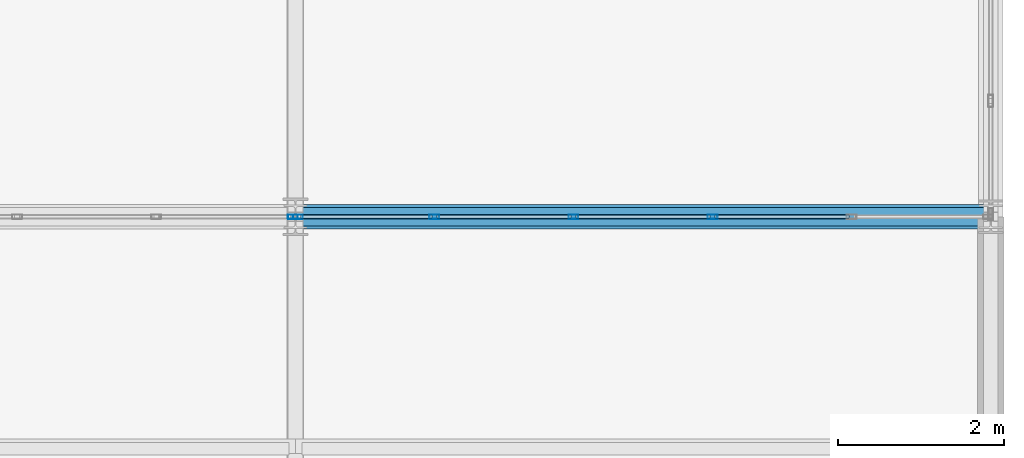
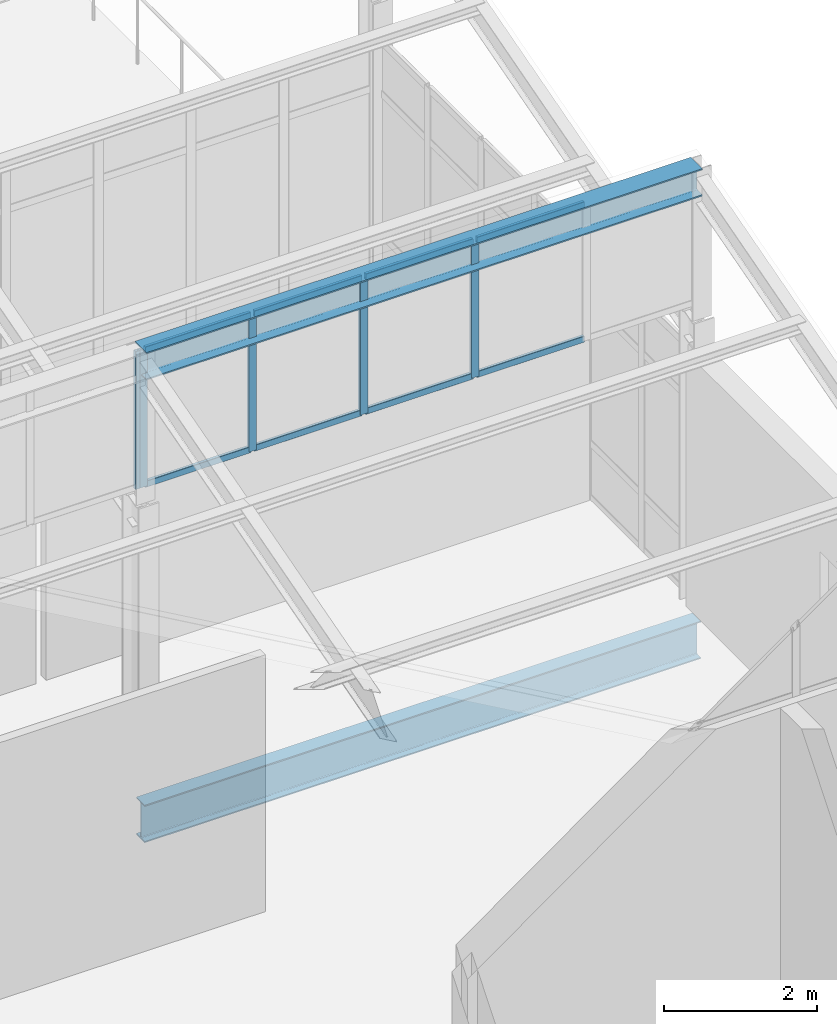
# One storey, part 38 of 53: 13 members, 2 beams, 2 elements without a shape of their own.
"""IFC4 building model written with IfcOpenShell, lengths in metres."""

from ifc_helpers import new_model, si_unit, direction, frame, origin, origin_2d, place, context, subcontext, project, spatial, hollow_rectangle, i_section, extrude, material, layer, layer_set, material_profile, profile_set, type_object, element, aggregate, save


model = new_model("IFC4")

# Units and contexts
model_context = context("Model", 3, precision=1e-05, world=origin(), true_north=direction((0.0, 1.0)))
body_context = subcontext(model_context, "Body", "Model", "MODEL_VIEW")
ifc_project = project(units=[si_unit("LENGTHUNIT", "METRE"), si_unit("AREAUNIT", "SQUARE_METRE"), si_unit("VOLUMEUNIT", "CUBIC_METRE"), si_unit("PLANEANGLEUNIT", "RADIAN"), si_unit("MASSUNIT", "GRAM", prefix="KILO")], contexts=[model_context])

# Site, building, storey
site_placement = place(None, origin())
site = spatial("IfcSite", under=ifc_project, at=site_placement, CompositionType="ELEMENT")
building_placement = place(site_placement, origin())
building = spatial("IfcBuilding", under=site, at=building_placement, Name="Qalvenar Corner Mobility Hub", CompositionType="ELEMENT")
storey_placement = place(building_placement, frame((0.0, 0.0, 26.39990234375)))
storey = spatial("IfcBuildingStorey", under=building, at=storey_placement, Name="L06", CompositionType="ELEMENT", Elevation=26.39990234375)

# Beams
ifc_material_1 = material(Name="Steel S355", Category="steel")
ifc_material_profile_1 = material_profile(ifc_material_1, i_section(OverallWidth=0.300048828125, OverallDepth=0.43994140625, WebThickness=0.011474609375, FlangeThickness=0.02099609375, FilletRadius=0.027099609375, at=origin_2d()), Name="HEA450")
ifc_profile_set_1 = profile_set([ifc_material_profile_1], Name="Steel S355")
beam_type_1 = type_object("IfcBeamType", Name="BM-HEA450", PredefinedType="BEAM", material=ifc_profile_set_1)
beam_1_placement = place(storey_placement, frame((33.60009765625, 25.199951171875, 6.81005859375), z_axis=(1.0, 0.0, 0.0), x_axis=(0.0, 1.0, 0.0)))
element("IfcBeam", 1, at=beam_1_placement, inside=storey, type_object=beam_type_1, Name="Sawtooth Ridge Girder V3RDG-3-5", PredefinedType="BEAM", context=body_context, shape_type="SweptSolid", body=[
    extrude(i_section(OverallWidth=0.300048828125, OverallDepth=0.43994140625, WebThickness=0.011474609375, FlangeThickness=0.02099609375, FilletRadius=0.027099609375, at=origin_2d()), origin(), (0.0, 0.0, 1.0), 8.39990234375),
])
ifc_material_profile_2 = material_profile(ifc_material_1, i_section(OverallWidth=0.219970703125, OverallDepth=0.60009765625, WebThickness=0.011962890625, FlangeThickness=0.01904296875, FilletRadius=0.02392578125, at=origin_2d()), Name="IPE600")
ifc_profile_set_2 = profile_set([ifc_material_profile_2], Name="Steel S355")
beam_type_2 = type_object("IfcBeamType", Name="BM-IPE600", PredefinedType="BEAM", material=ifc_profile_set_2)
beam_2_placement = place(storey_placement, frame((33.60009765625, 25.199951171875, -0.52001953125), z_axis=(1.0, 0.0, 0.0), x_axis=(0.0, 1.0, 0.0)))
element("IfcBeam", 2, at=beam_2_placement, inside=storey, type_object=beam_type_2, Name="Primary Steel Girder GX-3071", PredefinedType="BEAM", context=body_context, shape_type="SweptSolid", body=[
    extrude(i_section(OverallWidth=0.219970703125, OverallDepth=0.60009765625, WebThickness=0.011962890625, FlangeThickness=0.01904296875, FilletRadius=0.02392578125, at=origin_2d()), origin(), (0.0, 0.0, 1.0), 8.39990234375),
])

# Curtain wall, member
ifc_material_2 = material(Name="Anodised Aluminium and Low-E Glazing", Category="aluminium")
ifc_layer = layer(ifc_material_2, 0.1201171875)
ifc_layer_set = layer_set([ifc_layer], Name="Anodised Aluminium and Low-E Glazing")
curtain_wall_type = type_object("IfcCurtainWallType", Name="CW-CLR-84X24", PredefinedType="NOTDEFINED", material=ifc_layer_set)
curtain_wall_1_placement = place(storey_placement, origin())
curtain_wall_1 = element("IfcCurtainWall", 3, at=curtain_wall_1_placement, inside=storey, type_object=curtain_wall_type, Name="Glazed Curtain Wall CW-V3-SAW-3-3", PredefinedType="NOTDEFINED")
ifc_material_3 = material(Name="Anodised Aluminium 6063-T6", Category="aluminium")
ifc_material_profile_3 = material_profile(ifc_material_3, hollow_rectangle(XDim=0.054931640625, YDim=0.1201171875, WallThickness=0.00341796875, InnerFilletRadius=0.00341796875, OuterFilletRadius=0.007080078125, at=origin_2d()), Name="RHS120x55x3.5")
ifc_profile_set_3 = profile_set([ifc_material_profile_3], Name="Anodised Aluminium 6063-T6")
member_type_1 = type_object("IfcMemberType", Name="CW-MUL120", PredefinedType="MULLION", material=ifc_profile_set_3)
member_1_placement = place(storey_placement, frame((33.570068359375, 25.199951171875, 4.800048828125), z_axis=(0.0, 0.0, 1.0), x_axis=(0.0, -1.0, 0.0)))
member_1 = element("IfcMember", 4, at=member_1_placement, type_object=member_type_1, Name="CW-12 mullion 1", PredefinedType="MULLION", context=body_context, shape_type="SweptSolid", body=[
    extrude(hollow_rectangle(XDim=0.054931640625, YDim=0.1201171875, WallThickness=0.00341796875, InnerFilletRadius=0.00341796875, OuterFilletRadius=0.007080078125, at=origin_2d()), origin(), (0.0, 0.0, 1.0), 2.199951171875),
])
aggregate(curtain_wall_1, [member_1])

# Curtain wall, members
curtain_wall_2_placement = place(storey_placement, origin())
curtain_wall_2 = element("IfcCurtainWall", 5, at=curtain_wall_2_placement, inside=storey, type_object=curtain_wall_type, Name="Glazed Curtain Wall CW-V3-SAW-3-4", PredefinedType="NOTDEFINED")
member_2_placement = place(storey_placement, frame((38.639892578125, 25.199951171875, 4.800048828125), z_axis=(0.0, 0.0, 1.0), x_axis=(0.0, -1.0, 0.0)))
member_2 = element("IfcMember", 6, at=member_2_placement, type_object=member_type_1, Name="CW-12 mullion 3", PredefinedType="MULLION", context=body_context, shape_type="SweptSolid", body=[
    extrude(hollow_rectangle(XDim=0.054931640625, YDim=0.1201171875, WallThickness=0.00341796875, InnerFilletRadius=0.00341796875, OuterFilletRadius=0.007080078125, at=origin_2d()), origin(), (0.0, 0.0, 1.0), 2.199951171875),
])
member_3_placement = place(storey_placement, frame((36.9599609375, 25.199951171875, 4.800048828125), z_axis=(0.0, 0.0, 1.0), x_axis=(0.0, -1.0, 0.0)))
member_3 = element("IfcMember", 7, at=member_3_placement, type_object=member_type_1, Name="CW-12 mullion 4", PredefinedType="MULLION", context=body_context, shape_type="SweptSolid", body=[
    extrude(hollow_rectangle(XDim=0.054931640625, YDim=0.1201171875, WallThickness=0.00341796875, InnerFilletRadius=0.00341796875, OuterFilletRadius=0.007080078125, at=origin_2d()), origin(), (0.0, 0.0, 1.0), 2.199951171875),
])
member_4_placement = place(storey_placement, frame((35.280029296875, 25.199951171875, 4.800048828125), z_axis=(0.0, 0.0, 1.0), x_axis=(0.0, -1.0, 0.0)))
member_4 = element("IfcMember", 8, at=member_4_placement, type_object=member_type_1, Name="CW-12 mullion 5", PredefinedType="MULLION", context=body_context, shape_type="SweptSolid", body=[
    extrude(hollow_rectangle(XDim=0.054931640625, YDim=0.1201171875, WallThickness=0.00341796875, InnerFilletRadius=0.00341796875, OuterFilletRadius=0.007080078125, at=origin_2d()), origin(), (0.0, 0.0, 1.0), 2.199951171875),
])
member_5_placement = place(storey_placement, frame((33.6298828125, 25.199951171875, 4.800048828125), z_axis=(0.0, 0.0, 1.0), x_axis=(0.0, -1.0, 0.0)))
member_5 = element("IfcMember", 9, at=member_5_placement, type_object=member_type_1, Name="CW-12 mullion 6", PredefinedType="MULLION", context=body_context, shape_type="SweptSolid", body=[
    extrude(hollow_rectangle(XDim=0.054931640625, YDim=0.1201171875, WallThickness=0.00341796875, InnerFilletRadius=0.00341796875, OuterFilletRadius=0.007080078125, at=origin_2d()), origin(), (0.0, 0.0, 1.0), 2.199951171875),
])
ifc_material_profile_4 = material_profile(ifc_material_3, hollow_rectangle(XDim=0.050048828125, YDim=0.10009765625, WallThickness=0.0029296875, InnerFilletRadius=0.0029296875, OuterFilletRadius=0.006103515625, at=origin_2d()), Name="RHS100x50x3")
ifc_profile_set_4 = profile_set([ifc_material_profile_4], Name="Anodised Aluminium 6063-T6")
member_type_2 = type_object("IfcMemberType", Name="CW-TRN100", PredefinedType="USERDEFINED", material=ifc_profile_set_4)
member_6_placement = place(storey_placement, frame((40.2900390625, 25.199951171875, 4.82763671875), z_axis=(-1.0, 0.0, 0.0), x_axis=(0.0, -1.0, 0.0)))
member_6 = element("IfcMember", 10, at=member_6_placement, type_object=member_type_2, Name="CW-12 transom 2.1", ObjectType="TRANSOM", PredefinedType="USERDEFINED", context=body_context, shape_type="SweptSolid", body=[
    extrude(hollow_rectangle(XDim=0.050048828125, YDim=0.10009765625, WallThickness=0.0029296875, InnerFilletRadius=0.0029296875, OuterFilletRadius=0.006103515625, at=origin_2d()), origin(), (0.0, 0.0, 1.0), 1.6201171875),
])
member_7_placement = place(storey_placement, frame((40.2900390625, 25.199951171875, 6.97265625), z_axis=(-1.0, 0.0, 0.0), x_axis=(0.0, -1.0, 0.0)))
member_7 = element("IfcMember", 11, at=member_7_placement, type_object=member_type_2, Name="CW-12 transom 2.2", ObjectType="TRANSOM", PredefinedType="USERDEFINED", context=body_context, shape_type="SweptSolid", body=[
    extrude(hollow_rectangle(XDim=0.050048828125, YDim=0.10009765625, WallThickness=0.0029296875, InnerFilletRadius=0.0029296875, OuterFilletRadius=0.006103515625, at=origin_2d()), origin(), (0.0, 0.0, 1.0), 1.6201171875),
])
member_8_placement = place(storey_placement, frame((38.610107421875, 25.199951171875, 4.82763671875), z_axis=(-1.0, 0.0, 0.0), x_axis=(0.0, -1.0, 0.0)))
member_8 = element("IfcMember", 12, at=member_8_placement, type_object=member_type_2, Name="CW-12 transom 3.1", ObjectType="TRANSOM", PredefinedType="USERDEFINED", context=body_context, shape_type="SweptSolid", body=[
    extrude(hollow_rectangle(XDim=0.050048828125, YDim=0.10009765625, WallThickness=0.0029296875, InnerFilletRadius=0.0029296875, OuterFilletRadius=0.006103515625, at=origin_2d()), origin(), (0.0, 0.0, 1.0), 1.6201171875),
])
member_9_placement = place(storey_placement, frame((38.610107421875, 25.199951171875, 6.97265625), z_axis=(-1.0, 0.0, 0.0), x_axis=(0.0, -1.0, 0.0)))
member_9 = element("IfcMember", 13, at=member_9_placement, type_object=member_type_2, Name="CW-12 transom 3.2", ObjectType="TRANSOM", PredefinedType="USERDEFINED", context=body_context, shape_type="SweptSolid", body=[
    extrude(hollow_rectangle(XDim=0.050048828125, YDim=0.10009765625, WallThickness=0.0029296875, InnerFilletRadius=0.0029296875, OuterFilletRadius=0.006103515625, at=origin_2d()), origin(), (0.0, 0.0, 1.0), 1.6201171875),
])
member_10_placement = place(storey_placement, frame((36.929931640625, 25.199951171875, 4.82763671875), z_axis=(-1.0, 0.0, 0.0), x_axis=(0.0, -1.0, 0.0)))
member_10 = element("IfcMember", 14, at=member_10_placement, type_object=member_type_2, Name="CW-12 transom 4.1", ObjectType="TRANSOM", PredefinedType="USERDEFINED", context=body_context, shape_type="SweptSolid", body=[
    extrude(hollow_rectangle(XDim=0.050048828125, YDim=0.10009765625, WallThickness=0.0029296875, InnerFilletRadius=0.0029296875, OuterFilletRadius=0.006103515625, at=origin_2d()), origin(), (0.0, 0.0, 1.0), 1.619873046875),
])
member_11_placement = place(storey_placement, frame((36.929931640625, 25.199951171875, 6.97265625), z_axis=(-1.0, 0.0, 0.0), x_axis=(0.0, -1.0, 0.0)))
member_11 = element("IfcMember", 15, at=member_11_placement, type_object=member_type_2, Name="CW-12 transom 4.2", ObjectType="TRANSOM", PredefinedType="USERDEFINED", context=body_context, shape_type="SweptSolid", body=[
    extrude(hollow_rectangle(XDim=0.050048828125, YDim=0.10009765625, WallThickness=0.0029296875, InnerFilletRadius=0.0029296875, OuterFilletRadius=0.006103515625, at=origin_2d()), origin(), (0.0, 0.0, 1.0), 1.619873046875),
])
member_12_placement = place(storey_placement, frame((35.25, 25.199951171875, 4.82763671875), z_axis=(-1.0, 0.0, 0.0), x_axis=(0.0, -1.0, 0.0)))
member_12 = element("IfcMember", 16, at=member_12_placement, type_object=member_type_2, Name="CW-12 transom 5.1", ObjectType="TRANSOM", PredefinedType="USERDEFINED", context=body_context, shape_type="SweptSolid", body=[
    extrude(hollow_rectangle(XDim=0.050048828125, YDim=0.10009765625, WallThickness=0.0029296875, InnerFilletRadius=0.0029296875, OuterFilletRadius=0.006103515625, at=origin_2d()), origin(), (0.0, 0.0, 1.0), 1.590087890625),
])
member_13_placement = place(storey_placement, frame((35.25, 25.199951171875, 6.97265625), z_axis=(-1.0, 0.0, 0.0), x_axis=(0.0, -1.0, 0.0)))
member_13 = element("IfcMember", 17, at=member_13_placement, type_object=member_type_2, Name="CW-12 transom 5.2", ObjectType="TRANSOM", PredefinedType="USERDEFINED", context=body_context, shape_type="SweptSolid", body=[
    extrude(hollow_rectangle(XDim=0.050048828125, YDim=0.10009765625, WallThickness=0.0029296875, InnerFilletRadius=0.0029296875, OuterFilletRadius=0.006103515625, at=origin_2d()), origin(), (0.0, 0.0, 1.0), 1.590087890625),
])
aggregate(curtain_wall_2, [member_2, member_3, member_4, member_5, member_6, member_7, member_8, member_9, member_10, member_11, member_12, member_13])

save(model, "model.ifc")
